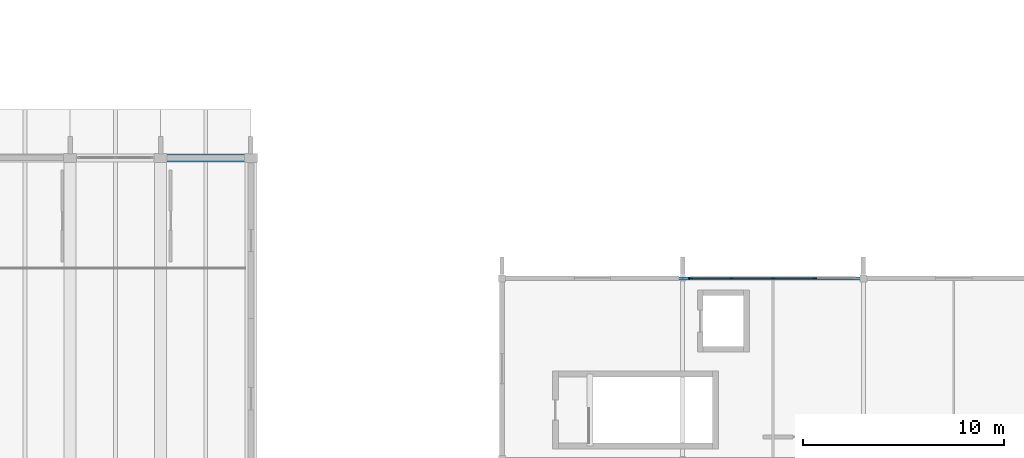
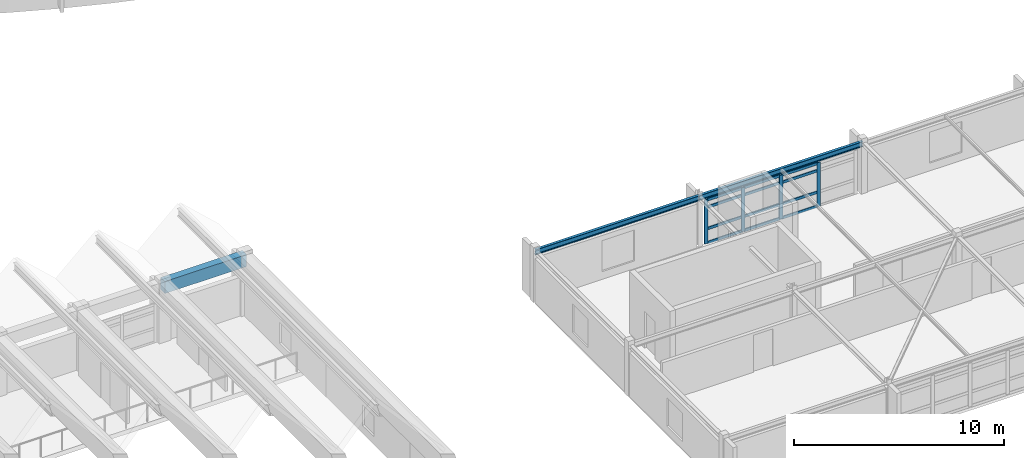
# One storey, part 18 of 83: 16 members, 3 beams, 1 element without a shape of its own.
"""IFC4 building model written with IfcOpenShell, lengths in metres."""

from ifc_helpers import new_model, si_unit, direction, frame, origin, origin_2d, place, context, subcontext, project, spatial, rectangle, i_section, extrude, material, material_profile, profile_set, type_object, element, aggregate, save


model = new_model("IFC4")

# Units and contexts
model_context = context("Model", 3, precision=1e-05, world=origin(), true_north=direction((0.0, 1.0)))
body_context = subcontext(model_context, "Body", "Model", "MODEL_VIEW")
ifc_project = project(units=[si_unit("LENGTHUNIT", "METRE"), si_unit("AREAUNIT", "SQUARE_METRE"), si_unit("VOLUMEUNIT", "CUBIC_METRE"), si_unit("PLANEANGLEUNIT", "RADIAN"), si_unit("MASSUNIT", "GRAM", prefix="KILO")], contexts=[model_context])

# Site, building, storey
site_placement = place(None, origin())
site = spatial("IfcSite", under=ifc_project, at=site_placement, CompositionType="ELEMENT")
building_placement = place(site_placement, origin())
building = spatial("IfcBuilding", under=site, at=building_placement, Name="Zimvara Arc Housing Community", CompositionType="ELEMENT")
storey_placement = place(building_placement, frame((0.0, 0.0, 4.5)))
storey = spatial("IfcBuildingStorey", under=building, at=storey_placement, Name="L01", CompositionType="ELEMENT", Elevation=4.5)

# Beams
ifc_material_1 = material(Name="Concrete C40/50", Category="concrete")
ifc_material_profile_1 = material_profile(ifc_material_1, rectangle(XDim=0.39990234375, YDim=0.699951171875, at=origin_2d()), Name="RC 400x700")
ifc_profile_set_1 = profile_set([ifc_material_profile_1], Name="Concrete C40/50")
beam_type_1 = type_object("IfcBeamType", Name="BM-RC-400x700", PredefinedType="BEAM", material=ifc_profile_set_1)
beam_placement = place(storey_placement, frame((95.0, 27.60009765625, 3.14990234375), z_axis=(1.0, 0.0, 0.0), x_axis=(0.0, 1.0, 0.0)))
element("IfcBeam", 1, at=beam_placement, inside=storey, type_object=beam_type_1, Name="bm:hall:L01:eave:y1:b6", PredefinedType="BEAM", context=body_context, shape_type="SweptSolid", body=[
    extrude(rectangle(XDim=0.39990234375, YDim=0.699951171875, at=origin_2d()), origin(), (0.0, 0.0, 1.0), 4.5),
])
ifc_material_2 = material(Name="Steel S355", Category="steel")
ifc_material_profile_2 = material_profile(ifc_material_2, i_section(OverallWidth=0.14990234375, OverallDepth=0.300048828125, WebThickness=0.007080078125, FlangeThickness=0.0107421875, FilletRadius=0.014892578125, at=origin_2d()), Name="IPE 300")
ifc_profile_set_2 = profile_set([ifc_material_profile_2], Name="Steel S355")
beam_type_2 = type_object("IfcBeamType", Name="BM-ST-IPE300", PredefinedType="BEAM", material=ifc_profile_set_2)
for number, where, z_axis, x_axis, name in (
    (2, (112.0, 21.60009765625, 2.800048828125), (1.0, 0.0, 0.0), (0.0, 1.0, 0.0), "bm:nursery:L01:x:y2:b0"),
    (3, (121.0, 21.60009765625, 2.800048828125), (1.0, 0.0, 0.0), (0.0, 1.0, 0.0), "bm:nursery:L01:x:y2:b1"),
):
    element("IfcBeam", number, at=place(storey_placement, frame(where, z_axis=z_axis, x_axis=x_axis)), inside=storey, type_object=beam_type_2, Name=name, PredefinedType="BEAM", context=body_context, shape_type="SweptSolid", body=[
        extrude(i_section(OverallWidth=0.14990234375, OverallDepth=0.300048828125, WebThickness=0.007080078125, FlangeThickness=0.0107421875, FilletRadius=0.014892578125, at=origin_2d()), origin(), (0.0, 0.0, 1.0), 9.0),
    ])

# Curtain wall, members
ifc_material_3 = material(Name="Anodised Aluminium AW-6063", Category="aluminium")
curtain_wall_type = type_object("IfcCurtainWallType", Name="CW-SYS-03", PredefinedType="USERDEFINED", material=ifc_material_3)
curtain_wall_placement = place(storey_placement, origin())
curtain_wall = element("IfcCurtainWall", 4, at=curtain_wall_placement, inside=storey, type_object=curtain_wall_type, Name="cw:nursery:L01:north:b1", ObjectType="CURTAIN WALL", PredefinedType="USERDEFINED")
ifc_material_4 = material(Name="Anodised Aluminium AW-6063", Category="aluminium")
ifc_material_profile_3 = material_profile(ifc_material_4, rectangle(XDim=0.06494140625, YDim=0.195068359375, at=origin_2d()), Name="ALU 65x195")
ifc_profile_set_3 = profile_set([ifc_material_profile_3], Name="Anodised Aluminium AW-6063")
member_type_1 = type_object("IfcMemberType", Name="CWM-65x180", PredefinedType="MULLION", material=ifc_profile_set_3)
member_1_placement = place(storey_placement, frame((121.392578125, 21.60009765625, 0.0), z_axis=(0.0, 0.0, 1.0), x_axis=(0.0, 1.0, 0.0)))
member_1 = element("IfcMember", 5, at=member_1_placement, type_object=member_type_1, Name="CW03 mullion 1", PredefinedType="MULLION", context=body_context, shape_type="SweptSolid", body=[
    extrude(rectangle(XDim=0.06494140625, YDim=0.195068359375, at=origin_2d()), origin(), (0.0, 0.0, 1.0), 2.550048828125),
])
member_2_placement = place(storey_placement, frame((123.429931640625, 21.60009765625, 0.0), z_axis=(0.0, 0.0, 1.0), x_axis=(0.0, 1.0, 0.0)))
member_2 = element("IfcMember", 6, at=member_2_placement, type_object=member_type_1, Name="CW03 mullion 2", PredefinedType="MULLION", context=body_context, shape_type="SweptSolid", body=[
    extrude(rectangle(XDim=0.06494140625, YDim=0.195068359375, at=origin_2d()), origin(), (0.0, 0.0, 1.0), 2.550048828125),
])
member_3_placement = place(storey_placement, frame((125.5, 21.60009765625, 0.0), z_axis=(0.0, 0.0, 1.0), x_axis=(0.0, 1.0, 0.0)))
member_3 = element("IfcMember", 7, at=member_3_placement, type_object=member_type_1, Name="CW03 mullion 3", PredefinedType="MULLION", context=body_context, shape_type="SweptSolid", body=[
    extrude(rectangle(XDim=0.06494140625, YDim=0.195068359375, at=origin_2d()), origin(), (0.0, 0.0, 1.0), 2.550048828125),
])
member_4_placement = place(storey_placement, frame((127.570068359375, 21.60009765625, 0.0), z_axis=(0.0, 0.0, 1.0), x_axis=(0.0, 1.0, 0.0)))
member_4 = element("IfcMember", 8, at=member_4_placement, type_object=member_type_1, Name="CW03 mullion 4", PredefinedType="MULLION", context=body_context, shape_type="SweptSolid", body=[
    extrude(rectangle(XDim=0.06494140625, YDim=0.195068359375, at=origin_2d()), origin(), (0.0, 0.0, 1.0), 2.550048828125),
])
ifc_material_5 = material(Name="Anodised Aluminium AW-6063", Category="aluminium")
ifc_material_profile_4 = material_profile(ifc_material_5, rectangle(XDim=0.06494140625, YDim=0.155029296875, at=origin_2d()), Name="ALU 65x155")
ifc_profile_set_4 = profile_set([ifc_material_profile_4], Name="Anodised Aluminium AW-6063")
member_type_2 = type_object("IfcMemberType", Name="CWT-65x140", PredefinedType="USERDEFINED", material=ifc_profile_set_4)
member_5_placement = place(storey_placement, frame((121.425048828125, 21.60009765625, 0.032470703125), z_axis=(1.0, 0.0, 0.0), x_axis=(0.0, 1.0, 0.0)))
member_5 = element("IfcMember", 9, at=member_5_placement, type_object=member_type_2, Name="CW03 transom 1.1", ObjectType="TRANSOM", PredefinedType="USERDEFINED", context=body_context, shape_type="SweptSolid", body=[
    extrude(rectangle(XDim=0.06494140625, YDim=0.155029296875, at=origin_2d()), origin(), (0.0, 0.0, 1.0), 1.972412109375),
])
member_6_placement = place(storey_placement, frame((121.425048828125, 21.60009765625, 0.85009765625), z_axis=(1.0, 0.0, 0.0), x_axis=(0.0, 1.0, 0.0)))
member_6 = element("IfcMember", 10, at=member_6_placement, type_object=member_type_2, Name="CW03 transom 1.2", ObjectType="TRANSOM", PredefinedType="USERDEFINED", context=body_context, shape_type="SweptSolid", body=[
    extrude(rectangle(XDim=0.06494140625, YDim=0.155029296875, at=origin_2d()), origin(), (0.0, 0.0, 1.0), 1.972412109375),
])
member_7_placement = place(storey_placement, frame((121.425048828125, 21.60009765625, 2.10009765625), z_axis=(1.0, 0.0, 0.0), x_axis=(0.0, 1.0, 0.0)))
member_7 = element("IfcMember", 11, at=member_7_placement, type_object=member_type_2, Name="CW03 transom 1.3", ObjectType="TRANSOM", PredefinedType="USERDEFINED", context=body_context, shape_type="SweptSolid", body=[
    extrude(rectangle(XDim=0.06494140625, YDim=0.155029296875, at=origin_2d()), origin(), (0.0, 0.0, 1.0), 1.972412109375),
])
member_8_placement = place(storey_placement, frame((121.425048828125, 21.60009765625, 2.517578125), z_axis=(1.0, 0.0, 0.0), x_axis=(0.0, 1.0, 0.0)))
member_8 = element("IfcMember", 12, at=member_8_placement, type_object=member_type_2, Name="CW03 transom 1.4", ObjectType="TRANSOM", PredefinedType="USERDEFINED", context=body_context, shape_type="SweptSolid", body=[
    extrude(rectangle(XDim=0.06494140625, YDim=0.155029296875, at=origin_2d()), origin(), (0.0, 0.0, 1.0), 1.972412109375),
])
member_9_placement = place(storey_placement, frame((123.46240234375, 21.60009765625, 0.032470703125), z_axis=(1.0, 0.0, 0.0), x_axis=(0.0, 1.0, 0.0)))
member_9 = element("IfcMember", 13, at=member_9_placement, type_object=member_type_2, Name="CW03 transom 2.1", ObjectType="TRANSOM", PredefinedType="USERDEFINED", context=body_context, shape_type="SweptSolid", body=[
    extrude(rectangle(XDim=0.06494140625, YDim=0.155029296875, at=origin_2d()), origin(), (0.0, 0.0, 1.0), 2.005126953125),
])
member_10_placement = place(storey_placement, frame((123.46240234375, 21.60009765625, 0.85009765625), z_axis=(1.0, 0.0, 0.0), x_axis=(0.0, 1.0, 0.0)))
member_10 = element("IfcMember", 14, at=member_10_placement, type_object=member_type_2, Name="CW03 transom 2.2", ObjectType="TRANSOM", PredefinedType="USERDEFINED", context=body_context, shape_type="SweptSolid", body=[
    extrude(rectangle(XDim=0.06494140625, YDim=0.155029296875, at=origin_2d()), origin(), (0.0, 0.0, 1.0), 2.005126953125),
])
member_11_placement = place(storey_placement, frame((123.46240234375, 21.60009765625, 2.10009765625), z_axis=(1.0, 0.0, 0.0), x_axis=(0.0, 1.0, 0.0)))
member_11 = element("IfcMember", 15, at=member_11_placement, type_object=member_type_2, Name="CW03 transom 2.3", ObjectType="TRANSOM", PredefinedType="USERDEFINED", context=body_context, shape_type="SweptSolid", body=[
    extrude(rectangle(XDim=0.06494140625, YDim=0.155029296875, at=origin_2d()), origin(), (0.0, 0.0, 1.0), 2.005126953125),
])
member_12_placement = place(storey_placement, frame((123.46240234375, 21.60009765625, 2.517578125), z_axis=(1.0, 0.0, 0.0), x_axis=(0.0, 1.0, 0.0)))
member_12 = element("IfcMember", 16, at=member_12_placement, type_object=member_type_2, Name="CW03 transom 2.4", ObjectType="TRANSOM", PredefinedType="USERDEFINED", context=body_context, shape_type="SweptSolid", body=[
    extrude(rectangle(XDim=0.06494140625, YDim=0.155029296875, at=origin_2d()), origin(), (0.0, 0.0, 1.0), 2.005126953125),
])
member_13_placement = place(storey_placement, frame((125.532470703125, 21.60009765625, 0.032470703125), z_axis=(1.0, 0.0, 0.0), x_axis=(0.0, 1.0, 0.0)))
member_13 = element("IfcMember", 17, at=member_13_placement, type_object=member_type_2, Name="CW03 transom 3.1", ObjectType="TRANSOM", PredefinedType="USERDEFINED", context=body_context, shape_type="SweptSolid", body=[
    extrude(rectangle(XDim=0.06494140625, YDim=0.155029296875, at=origin_2d()), origin(), (0.0, 0.0, 1.0), 2.005126953125),
])
member_14_placement = place(storey_placement, frame((125.532470703125, 21.60009765625, 0.85009765625), z_axis=(1.0, 0.0, 0.0), x_axis=(0.0, 1.0, 0.0)))
member_14 = element("IfcMember", 18, at=member_14_placement, type_object=member_type_2, Name="CW03 transom 3.2", ObjectType="TRANSOM", PredefinedType="USERDEFINED", context=body_context, shape_type="SweptSolid", body=[
    extrude(rectangle(XDim=0.06494140625, YDim=0.155029296875, at=origin_2d()), origin(), (0.0, 0.0, 1.0), 2.005126953125),
])
member_15_placement = place(storey_placement, frame((125.532470703125, 21.60009765625, 2.10009765625), z_axis=(1.0, 0.0, 0.0), x_axis=(0.0, 1.0, 0.0)))
member_15 = element("IfcMember", 19, at=member_15_placement, type_object=member_type_2, Name="CW03 transom 3.3", ObjectType="TRANSOM", PredefinedType="USERDEFINED", context=body_context, shape_type="SweptSolid", body=[
    extrude(rectangle(XDim=0.06494140625, YDim=0.155029296875, at=origin_2d()), origin(), (0.0, 0.0, 1.0), 2.005126953125),
])
member_16_placement = place(storey_placement, frame((125.532470703125, 21.60009765625, 2.517578125), z_axis=(1.0, 0.0, 0.0), x_axis=(0.0, 1.0, 0.0)))
member_16 = element("IfcMember", 20, at=member_16_placement, type_object=member_type_2, Name="CW03 transom 3.4", ObjectType="TRANSOM", PredefinedType="USERDEFINED", context=body_context, shape_type="SweptSolid", body=[
    extrude(rectangle(XDim=0.06494140625, YDim=0.155029296875, at=origin_2d()), origin(), (0.0, 0.0, 1.0), 2.005126953125),
])
aggregate(curtain_wall, [member_1, member_2, member_3, member_4, member_5, member_6, member_7, member_8, member_9, member_10, member_11, member_12, member_13, member_14, member_15, member_16])

save(model, "model.ifc")
